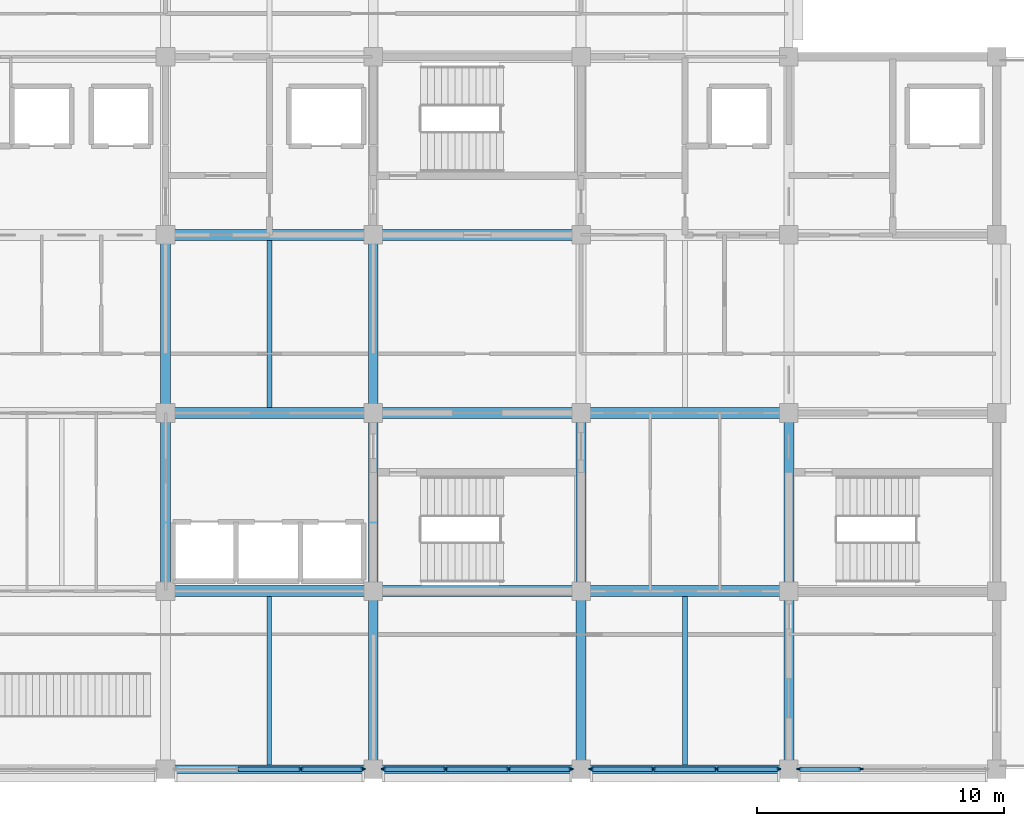
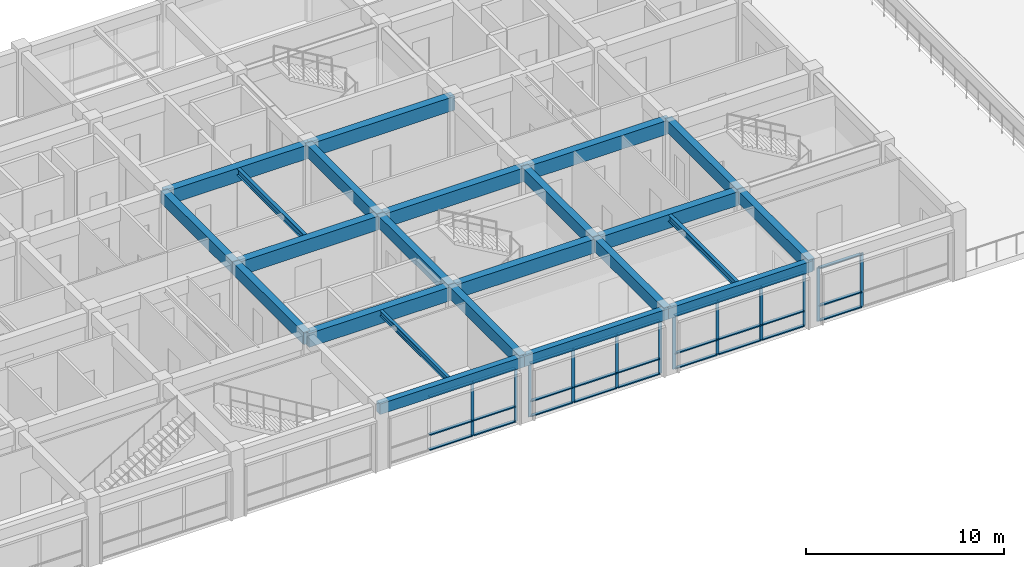
# One storey, part 6 of 27: 39 members, 23 beams, 4 elements without a shape of their own.
"""IFC4 building model written with IfcOpenShell, lengths in metres."""

from ifc_helpers import new_model, si_unit, direction, frame, origin, origin_2d, place, context, subcontext, project, spatial, rectangle, i_section, extrude, material, layer, layer_set, material_profile, profile_set, type_object, element, aggregate, save


model = new_model("IFC4")

# Units and contexts
model_context = context("Model", 3, precision=1e-05, world=origin(), true_north=direction((0.0, 1.0)))
body_context = subcontext(model_context, "Body", "Model", "MODEL_VIEW")
ifc_project = project(units=[si_unit("LENGTHUNIT", "METRE"), si_unit("AREAUNIT", "SQUARE_METRE"), si_unit("VOLUMEUNIT", "CUBIC_METRE"), si_unit("PLANEANGLEUNIT", "RADIAN"), si_unit("MASSUNIT", "GRAM", prefix="KILO")], contexts=[model_context])

# Site, building, storey
site_placement = place(None, origin())
site = spatial("IfcSite", under=ifc_project, at=site_placement, CompositionType="ELEMENT")
building_placement = place(site_placement, origin())
building = spatial("IfcBuilding", under=site, at=building_placement, Name="Chengyuan Square Courthouse", CompositionType="ELEMENT")
storey_placement = place(building_placement, frame((0.0, 0.0, 35.10009765625)))
storey = spatial("IfcBuildingStorey", under=building, at=storey_placement, Name="L08", CompositionType="ELEMENT", Elevation=35.10009765625)

# Beams
ifc_material_1 = material(Name="Concrete C40", Category="concrete")
ifc_material_profile_1 = material_profile(ifc_material_1, rectangle(XDim=0.449951171875, YDim=0.85009765625, at=origin_2d()), Name="RC-BM-450x850")
ifc_profile_set_1 = profile_set([ifc_material_profile_1], Name="Concrete C40")
beam_type_1 = type_object("IfcBeamType", Name="BM-01", PredefinedType="USERDEFINED", material=ifc_profile_set_1)
beam_1_placement = place(storey_placement, frame((92.39990234375, 86.39990234375, 3.52490234375), z_axis=(1.0, 0.0, 0.0), x_axis=(0.0, 1.0, 0.0)))
element("IfcBeam", 1, at=beam_1_placement, inside=storey, type_object=beam_type_1, Name="Girder BM-L08-3784", ObjectType="GIRDER", PredefinedType="USERDEFINED", context=body_context, shape_type="SweptSolid", body=[
    extrude(rectangle(XDim=0.449951171875, YDim=0.85009765625, at=origin_2d()), origin(), (0.0, 0.0, 1.0), 8.400146484375),
])
beam_2_placement = place(storey_placement, frame((100.800048828125, 86.39990234375, 3.52490234375), z_axis=(1.0, 0.0, 0.0), x_axis=(0.0, 1.0, 0.0)))
element("IfcBeam", 2, at=beam_2_placement, inside=storey, type_object=beam_type_1, Name="Girder BM-L08-3785", ObjectType="GIRDER", PredefinedType="USERDEFINED", context=body_context, shape_type="SweptSolid", body=[
    extrude(rectangle(XDim=0.449951171875, YDim=0.85009765625, at=origin_2d()), origin(), (0.0, 0.0, 1.0), 8.39990234375),
])
for number, where, z_axis, x_axis, name in (
    (3, (109.199951171875, 86.39990234375, 3.52490234375), (1.0, 0.0, 0.0), (0.0, 1.0, 0.0), "Girder BM-L08-3786"),
    (4, (92.39990234375, 93.60009765625, 3.52490234375), (1.0, 0.0, 0.0), (0.0, 1.0, 0.0), "Girder BM-L08-3794"),
):
    element("IfcBeam", number, at=place(storey_placement, frame(where, z_axis=z_axis, x_axis=x_axis)), inside=storey, type_object=beam_type_1, Name=name, ObjectType="GIRDER", PredefinedType="USERDEFINED", context=body_context, shape_type="SweptSolid", body=[
        extrude(rectangle(XDim=0.449951171875, YDim=0.85009765625, at=origin_2d()), origin(), (0.0, 0.0, 1.0), 8.400146484375),
    ])
beam_3_placement = place(storey_placement, frame((100.800048828125, 93.60009765625, 3.52490234375), z_axis=(1.0, 0.0, 0.0), x_axis=(0.0, 1.0, 0.0)))
element("IfcBeam", 5, at=beam_3_placement, inside=storey, type_object=beam_type_1, Name="Girder BM-L08-3795", ObjectType="GIRDER", PredefinedType="USERDEFINED", context=body_context, shape_type="SweptSolid", body=[
    extrude(rectangle(XDim=0.449951171875, YDim=0.85009765625, at=origin_2d()), origin(), (0.0, 0.0, 1.0), 8.39990234375),
])
for number, where, z_axis, x_axis, name in (
    (6, (109.199951171875, 93.60009765625, 3.52490234375), (1.0, 0.0, 0.0), (0.0, 1.0, 0.0), "Girder BM-L08-3796"),
    (7, (92.39990234375, 100.800048828125, 3.52490234375), (1.0, 0.0, 0.0), (0.0, 1.0, 0.0), "Girder BM-L08-3804"),
):
    element("IfcBeam", number, at=place(storey_placement, frame(where, z_axis=z_axis, x_axis=x_axis)), inside=storey, type_object=beam_type_1, Name=name, ObjectType="GIRDER", PredefinedType="USERDEFINED", context=body_context, shape_type="SweptSolid", body=[
        extrude(rectangle(XDim=0.449951171875, YDim=0.85009765625, at=origin_2d()), origin(), (0.0, 0.0, 1.0), 8.400146484375),
    ])
beam_4_placement = place(storey_placement, frame((100.800048828125, 100.800048828125, 3.52490234375), z_axis=(1.0, 0.0, 0.0), x_axis=(0.0, 1.0, 0.0)))
element("IfcBeam", 8, at=beam_4_placement, inside=storey, type_object=beam_type_1, Name="Girder BM-L08-3805", ObjectType="GIRDER", PredefinedType="USERDEFINED", context=body_context, shape_type="SweptSolid", body=[
    extrude(rectangle(XDim=0.449951171875, YDim=0.85009765625, at=origin_2d()), origin(), (0.0, 0.0, 1.0), 8.39990234375),
])
ifc_material_profile_2 = material_profile(ifc_material_1, rectangle(XDim=0.39990234375, YDim=0.75, at=origin_2d()), Name="RC-BM-400x750")
ifc_profile_set_2 = profile_set([ifc_material_profile_2], Name="Concrete C40")
beam_type_2 = type_object("IfcBeamType", Name="BM-02", PredefinedType="USERDEFINED", material=ifc_profile_set_2)
beam_5_placement = place(storey_placement, frame((92.39990234375, 86.39990234375, 3.574951171875), z_axis=(0.0, 1.0, 0.0), x_axis=(-1.0, 0.0, 0.0)))
element("IfcBeam", 9, at=beam_5_placement, inside=storey, type_object=beam_type_2, Name="Girder BM-L08-3856", ObjectType="GIRDER", PredefinedType="USERDEFINED", context=body_context, shape_type="SweptSolid", body=[
    extrude(rectangle(XDim=0.39990234375, YDim=0.75, at=origin_2d()), origin(), (0.0, 0.0, 1.0), 7.2001953125),
])
for number, where, z_axis, x_axis, name in (
    (10, (92.39990234375, 93.60009765625, 3.574951171875), (0.0, 1.0, 0.0), (-1.0, 0.0, 0.0), "Girder BM-L08-3857"),
    (11, (100.800048828125, 79.199951171875, 3.574951171875), (0.0, 1.0, 0.0), (-1.0, 0.0, 0.0), "Girder BM-L08-3860"),
):
    element("IfcBeam", number, at=place(storey_placement, frame(where, z_axis=z_axis, x_axis=x_axis)), inside=storey, type_object=beam_type_2, Name=name, ObjectType="GIRDER", PredefinedType="USERDEFINED", context=body_context, shape_type="SweptSolid", body=[
        extrude(rectangle(XDim=0.39990234375, YDim=0.75, at=origin_2d()), origin(), (0.0, 0.0, 1.0), 7.199951171875),
    ])
beam_6_placement = place(storey_placement, frame((100.800048828125, 86.39990234375, 3.574951171875), z_axis=(0.0, 1.0, 0.0), x_axis=(-1.0, 0.0, 0.0)))
element("IfcBeam", 12, at=beam_6_placement, inside=storey, type_object=beam_type_2, Name="Girder BM-L08-3861", ObjectType="GIRDER", PredefinedType="USERDEFINED", context=body_context, shape_type="SweptSolid", body=[
    extrude(rectangle(XDim=0.39990234375, YDim=0.75, at=origin_2d()), origin(), (0.0, 0.0, 1.0), 7.2001953125),
])
for number, where, z_axis, x_axis, name in (
    (13, (100.800048828125, 93.60009765625, 3.574951171875), (0.0, 1.0, 0.0), (-1.0, 0.0, 0.0), "Girder BM-L08-3862"),
    (14, (109.199951171875, 79.199951171875, 3.574951171875), (0.0, 1.0, 0.0), (-1.0, 0.0, 0.0), "Girder BM-L08-3865"),
):
    element("IfcBeam", number, at=place(storey_placement, frame(where, z_axis=z_axis, x_axis=x_axis)), inside=storey, type_object=beam_type_2, Name=name, ObjectType="GIRDER", PredefinedType="USERDEFINED", context=body_context, shape_type="SweptSolid", body=[
        extrude(rectangle(XDim=0.39990234375, YDim=0.75, at=origin_2d()), origin(), (0.0, 0.0, 1.0), 7.199951171875),
    ])
beam_7_placement = place(storey_placement, frame((109.199951171875, 86.39990234375, 3.574951171875), z_axis=(0.0, 1.0, 0.0), x_axis=(-1.0, 0.0, 0.0)))
element("IfcBeam", 15, at=beam_7_placement, inside=storey, type_object=beam_type_2, Name="Girder BM-L08-3866", ObjectType="GIRDER", PredefinedType="USERDEFINED", context=body_context, shape_type="SweptSolid", body=[
    extrude(rectangle(XDim=0.39990234375, YDim=0.75, at=origin_2d()), origin(), (0.0, 0.0, 1.0), 7.2001953125),
])
beam_8_placement = place(storey_placement, frame((117.60009765625, 79.199951171875, 3.574951171875), z_axis=(0.0, 1.0, 0.0), x_axis=(-1.0, 0.0, 0.0)))
element("IfcBeam", 16, at=beam_8_placement, inside=storey, type_object=beam_type_2, Name="Girder BM-L08-3870", ObjectType="GIRDER", PredefinedType="USERDEFINED", context=body_context, shape_type="SweptSolid", body=[
    extrude(rectangle(XDim=0.39990234375, YDim=0.75, at=origin_2d()), origin(), (0.0, 0.0, 1.0), 7.199951171875),
])
beam_9_placement = place(storey_placement, frame((117.60009765625, 86.39990234375, 3.574951171875), z_axis=(0.0, 1.0, 0.0), x_axis=(-1.0, 0.0, 0.0)))
element("IfcBeam", 17, at=beam_9_placement, inside=storey, type_object=beam_type_2, Name="Girder BM-L08-3871", ObjectType="GIRDER", PredefinedType="USERDEFINED", context=body_context, shape_type="SweptSolid", body=[
    extrude(rectangle(XDim=0.39990234375, YDim=0.75, at=origin_2d()), origin(), (0.0, 0.0, 1.0), 7.2001953125),
])
ifc_material_profile_3 = material_profile(ifc_material_1, rectangle(XDim=0.35009765625, YDim=0.64990234375, at=origin_2d()), Name="RC-BM-350x650")
ifc_profile_set_3 = profile_set([ifc_material_profile_3], Name="Concrete C40")
beam_type_3 = type_object("IfcBeamType", Name="BM-03", PredefinedType="SPANDREL", material=ifc_profile_set_3)
beam_10_placement = place(storey_placement, frame((92.39990234375, 79.199951171875, 3.625), z_axis=(1.0, 0.0, 0.0), x_axis=(0.0, 1.0, 0.0)))
element("IfcBeam", 18, at=beam_10_placement, inside=storey, type_object=beam_type_3, Name="Girder BM-L08-3774", PredefinedType="SPANDREL", context=body_context, shape_type="SweptSolid", body=[
    extrude(rectangle(XDim=0.35009765625, YDim=0.64990234375, at=origin_2d()), origin(), (0.0, 0.0, 1.0), 8.400146484375),
])
beam_11_placement = place(storey_placement, frame((100.800048828125, 79.199951171875, 3.625), z_axis=(1.0, 0.0, 0.0), x_axis=(0.0, 1.0, 0.0)))
element("IfcBeam", 19, at=beam_11_placement, inside=storey, type_object=beam_type_3, Name="Girder BM-L08-3775", PredefinedType="SPANDREL", context=body_context, shape_type="SweptSolid", body=[
    extrude(rectangle(XDim=0.35009765625, YDim=0.64990234375, at=origin_2d()), origin(), (0.0, 0.0, 1.0), 8.39990234375),
])
beam_12_placement = place(storey_placement, frame((109.199951171875, 79.199951171875, 3.625), z_axis=(1.0, 0.0, 0.0), x_axis=(0.0, 1.0, 0.0)))
element("IfcBeam", 20, at=beam_12_placement, inside=storey, type_object=beam_type_3, Name="Girder BM-L08-3776", PredefinedType="SPANDREL", context=body_context, shape_type="SweptSolid", body=[
    extrude(rectangle(XDim=0.35009765625, YDim=0.64990234375, at=origin_2d()), origin(), (0.0, 0.0, 1.0), 8.400146484375),
])
ifc_material_2 = material(Name="Steel Q355B", Category="steel")
ifc_material_profile_4 = material_profile(ifc_material_2, i_section(OverallWidth=0.199951171875, OverallDepth=0.39990234375, WebThickness=0.008056640625, FlangeThickness=0.012939453125, at=origin_2d()), Name="HN 400x200x8x13")
ifc_profile_set_4 = profile_set([ifc_material_profile_4], Name="Steel Q355B")
beam_type_4 = type_object("IfcBeamType", Name="BM-07", PredefinedType="BEAM", material=ifc_profile_set_4)
beam_13_placement = place(storey_placement, frame((96.60009765625, 93.824951171875, 3.75), z_axis=(0.0, 1.0, 0.0), x_axis=(-1.0, 0.0, 0.0)))
element("IfcBeam", 21, at=beam_13_placement, inside=storey, type_object=beam_type_4, Name="Secondary Floor Beam SBM-L08-3891", PredefinedType="BEAM", context=body_context, shape_type="SweptSolid", body=[
    extrude(i_section(OverallWidth=0.199951171875, OverallDepth=0.39990234375, WebThickness=0.008056640625, FlangeThickness=0.012939453125, at=origin_2d()), origin(), (0.0, 0.0, 1.0), 6.75),
])
beam_14_placement = place(storey_placement, frame((113.39990234375, 79.375, 3.75), z_axis=(0.0, 1.0, 0.0), x_axis=(-1.0, 0.0, 0.0)))
element("IfcBeam", 22, at=beam_14_placement, inside=storey, type_object=beam_type_4, Name="Secondary Floor Beam SBM-L08-3893", PredefinedType="BEAM", context=body_context, shape_type="SweptSolid", body=[
    extrude(i_section(OverallWidth=0.199951171875, OverallDepth=0.39990234375, WebThickness=0.008056640625, FlangeThickness=0.012939453125, at=origin_2d()), origin(), (0.0, 0.0, 1.0), 6.800048828125),
])
ifc_material_profile_5 = material_profile(ifc_material_2, i_section(OverallWidth=0.175048828125, OverallDepth=0.35009765625, WebThickness=0.007080078125, FlangeThickness=0.010986328125, at=origin_2d()), Name="HN 350x175x7x11")
ifc_profile_set_5 = profile_set([ifc_material_profile_5], Name="Steel Q355B")
beam_type_5 = type_object("IfcBeamType", Name="BM-08", PredefinedType="BEAM", material=ifc_profile_set_5)
beam_15_placement = place(storey_placement, frame((96.60009765625, 79.375, 3.77490234375), z_axis=(0.0, 1.0, 0.0), x_axis=(-1.0, 0.0, 0.0)))
element("IfcBeam", 23, at=beam_15_placement, inside=storey, type_object=beam_type_5, Name="Secondary Floor Beam SBM-L08-3890", PredefinedType="BEAM", context=body_context, shape_type="SweptSolid", body=[
    extrude(i_section(OverallWidth=0.175048828125, OverallDepth=0.35009765625, WebThickness=0.007080078125, FlangeThickness=0.010986328125, at=origin_2d()), origin(), (0.0, 0.0, 1.0), 6.800048828125),
])

# Curtain wall, members
ifc_material_3 = material(Name="Unitised Aluminium and Triple Low-E Glass", Category="aluminium")
ifc_layer = layer(ifc_material_3, 0.179931640625)
ifc_layer_set = layer_set([ifc_layer], Name="Unitised Aluminium and Triple Low-E Glass")
curtain_wall_type = type_object("IfcCurtainWallType", Name="CW-22", PredefinedType="USERDEFINED", material=ifc_layer_set)
curtain_wall_1_placement = place(storey_placement, origin())
curtain_wall_1 = element("IfcCurtainWall", 24, at=curtain_wall_1_placement, inside=storey, type_object=curtain_wall_type, Name="Unitised Curtain Wall CW-L08-228", ObjectType="UNITISED CURTAIN WALL", PredefinedType="USERDEFINED")
ifc_material_4 = material(Name="Aluminium 6063-T6 Frame", Category="aluminium")
ifc_material_profile_6 = material_profile(ifc_material_4, rectangle(XDim=0.06494140625, YDim=0.179931640625, at=origin_2d()), Name="CW-MUL-65x180")
ifc_profile_set_6 = profile_set([ifc_material_profile_6], Name="Aluminium 6063-T6 Frame")
member_type_1 = type_object("IfcMemberType", Name="CWM-02", PredefinedType="MULLION", material=ifc_profile_set_6)
member_1_placement = place(storey_placement, frame((97.875, 79.199951171875, 0.0), z_axis=(0.0, 0.0, 1.0), x_axis=(0.0, 1.0, 0.0)))
member_1 = element("IfcMember", 25, at=member_1_placement, type_object=member_type_1, Name="CW-22 mullion 3", PredefinedType="MULLION", context=body_context, shape_type="SweptSolid", body=[
    extrude(rectangle(XDim=0.06494140625, YDim=0.179931640625, at=origin_2d()), origin(), (0.0, 0.0, 1.0), 3.2998046875),
])
member_2_placement = place(storey_placement, frame((100.392578125, 79.199951171875, 0.0), z_axis=(0.0, 0.0, 1.0), x_axis=(0.0, 1.0, 0.0)))
member_2 = element("IfcMember", 26, at=member_2_placement, type_object=member_type_1, Name="CW-22 mullion 4", PredefinedType="MULLION", context=body_context, shape_type="SweptSolid", body=[
    extrude(rectangle(XDim=0.06494140625, YDim=0.179931640625, at=origin_2d()), origin(), (0.0, 0.0, 1.0), 3.2998046875),
])

curtain_wall_2_placement = place(storey_placement, origin())
curtain_wall_2 = element("IfcCurtainWall", 27, at=curtain_wall_2_placement, inside=storey, type_object=curtain_wall_type, Name="Unitised Curtain Wall CW-L08-230", ObjectType="UNITISED CURTAIN WALL", PredefinedType="USERDEFINED")
member_3_placement = place(storey_placement, frame((101.20751953125, 79.199951171875, 0.0), z_axis=(0.0, 0.0, 1.0), x_axis=(0.0, 1.0, 0.0)))
member_3 = element("IfcMember", 28, at=member_3_placement, type_object=member_type_1, Name="CW-22 mullion 1", PredefinedType="MULLION", context=body_context, shape_type="SweptSolid", body=[
    extrude(rectangle(XDim=0.06494140625, YDim=0.179931640625, at=origin_2d()), origin(), (0.0, 0.0, 1.0), 3.2998046875),
])
member_4_placement = place(storey_placement, frame((103.72509765625, 79.199951171875, 0.0), z_axis=(0.0, 0.0, 1.0), x_axis=(0.0, 1.0, 0.0)))
member_4 = element("IfcMember", 29, at=member_4_placement, type_object=member_type_1, Name="CW-22 mullion 2", PredefinedType="MULLION", context=body_context, shape_type="SweptSolid", body=[
    extrude(rectangle(XDim=0.06494140625, YDim=0.179931640625, at=origin_2d()), origin(), (0.0, 0.0, 1.0), 3.2998046875),
])
member_5_placement = place(storey_placement, frame((106.27490234375, 79.199951171875, 0.0), z_axis=(0.0, 0.0, 1.0), x_axis=(0.0, 1.0, 0.0)))
member_5 = element("IfcMember", 30, at=member_5_placement, type_object=member_type_1, Name="CW-22 mullion 3", PredefinedType="MULLION", context=body_context, shape_type="SweptSolid", body=[
    extrude(rectangle(XDim=0.06494140625, YDim=0.179931640625, at=origin_2d()), origin(), (0.0, 0.0, 1.0), 3.2998046875),
])
member_6_placement = place(storey_placement, frame((108.79248046875, 79.199951171875, 0.0), z_axis=(0.0, 0.0, 1.0), x_axis=(0.0, 1.0, 0.0)))
member_6 = element("IfcMember", 31, at=member_6_placement, type_object=member_type_1, Name="CW-22 mullion 4", PredefinedType="MULLION", context=body_context, shape_type="SweptSolid", body=[
    extrude(rectangle(XDim=0.06494140625, YDim=0.179931640625, at=origin_2d()), origin(), (0.0, 0.0, 1.0), 3.2998046875),
])

curtain_wall_3_placement = place(storey_placement, origin())
curtain_wall_3 = element("IfcCurtainWall", 32, at=curtain_wall_3_placement, inside=storey, type_object=curtain_wall_type, Name="Unitised Curtain Wall CW-L08-231", ObjectType="UNITISED CURTAIN WALL", PredefinedType="USERDEFINED")
member_7_placement = place(storey_placement, frame((109.607421875, 79.199951171875, 0.0), z_axis=(0.0, 0.0, 1.0), x_axis=(0.0, 1.0, 0.0)))
member_7 = element("IfcMember", 33, at=member_7_placement, type_object=member_type_1, Name="CW-22 mullion 1", PredefinedType="MULLION", context=body_context, shape_type="SweptSolid", body=[
    extrude(rectangle(XDim=0.06494140625, YDim=0.179931640625, at=origin_2d()), origin(), (0.0, 0.0, 1.0), 3.2998046875),
])
member_8_placement = place(storey_placement, frame((112.125, 79.199951171875, 0.0), z_axis=(0.0, 0.0, 1.0), x_axis=(0.0, 1.0, 0.0)))
member_8 = element("IfcMember", 34, at=member_8_placement, type_object=member_type_1, Name="CW-22 mullion 2", PredefinedType="MULLION", context=body_context, shape_type="SweptSolid", body=[
    extrude(rectangle(XDim=0.06494140625, YDim=0.179931640625, at=origin_2d()), origin(), (0.0, 0.0, 1.0), 3.2998046875),
])
member_9_placement = place(storey_placement, frame((114.675048828125, 79.199951171875, 0.0), z_axis=(0.0, 0.0, 1.0), x_axis=(0.0, 1.0, 0.0)))
member_9 = element("IfcMember", 35, at=member_9_placement, type_object=member_type_1, Name="CW-22 mullion 3", PredefinedType="MULLION", context=body_context, shape_type="SweptSolid", body=[
    extrude(rectangle(XDim=0.06494140625, YDim=0.179931640625, at=origin_2d()), origin(), (0.0, 0.0, 1.0), 3.2998046875),
])
member_10_placement = place(storey_placement, frame((117.1923828125, 79.199951171875, 0.0), z_axis=(0.0, 0.0, 1.0), x_axis=(0.0, 1.0, 0.0)))
member_10 = element("IfcMember", 36, at=member_10_placement, type_object=member_type_1, Name="CW-22 mullion 4", PredefinedType="MULLION", context=body_context, shape_type="SweptSolid", body=[
    extrude(rectangle(XDim=0.06494140625, YDim=0.179931640625, at=origin_2d()), origin(), (0.0, 0.0, 1.0), 3.2998046875),
])

curtain_wall_4_placement = place(storey_placement, origin())
curtain_wall_4 = element("IfcCurtainWall", 37, at=curtain_wall_4_placement, inside=storey, type_object=curtain_wall_type, Name="Unitised Curtain Wall CW-L08-233", ObjectType="UNITISED CURTAIN WALL", PredefinedType="USERDEFINED")
member_11_placement = place(storey_placement, frame((118.007568359375, 79.199951171875, 0.0), z_axis=(0.0, 0.0, 1.0), x_axis=(0.0, 1.0, 0.0)))
member_11 = element("IfcMember", 38, at=member_11_placement, type_object=member_type_1, Name="CW-22 mullion 1", PredefinedType="MULLION", context=body_context, shape_type="SweptSolid", body=[
    extrude(rectangle(XDim=0.06494140625, YDim=0.179931640625, at=origin_2d()), origin(), (0.0, 0.0, 1.0), 3.2998046875),
])
member_12_placement = place(storey_placement, frame((120.52490234375, 79.199951171875, 0.0), z_axis=(0.0, 0.0, 1.0), x_axis=(0.0, 1.0, 0.0)))
member_12 = element("IfcMember", 39, at=member_12_placement, type_object=member_type_1, Name="CW-22 mullion 2", PredefinedType="MULLION", context=body_context, shape_type="SweptSolid", body=[
    extrude(rectangle(XDim=0.06494140625, YDim=0.179931640625, at=origin_2d()), origin(), (0.0, 0.0, 1.0), 3.2998046875),
])

# Member
ifc_material_profile_7 = material_profile(ifc_material_4, rectangle(XDim=0.179931640625, YDim=0.06494140625, at=origin_2d()), Name="CW-TRN-65x140")
ifc_profile_set_7 = profile_set([ifc_material_profile_7], Name="Aluminium 6063-T6 Frame")
member_type_2 = type_object("IfcMemberType", Name="CWT-02", PredefinedType="USERDEFINED", material=ifc_profile_set_7)
member_13_placement = place(storey_placement, frame((95.357421875, 79.199951171875, 0.032470703125), z_axis=(1.0, 0.0, 0.0), x_axis=(0.0, 1.0, 0.0)))
member_13 = element("IfcMember", 40, at=member_13_placement, type_object=member_type_2, Name="CW-22 transom 2.1", ObjectType="TRANSOM", PredefinedType="USERDEFINED", context=body_context, shape_type="SweptSolid", body=[
    extrude(rectangle(XDim=0.179931640625, YDim=0.06494140625, at=origin_2d()), origin(), (0.0, 0.0, 1.0), 2.485107421875),
])

member_14_placement = place(storey_placement, frame((95.357421875, 79.199951171875, 0.949951171875), z_axis=(1.0, 0.0, 0.0), x_axis=(0.0, 1.0, 0.0)))
member_14 = element("IfcMember", 41, at=member_14_placement, type_object=member_type_2, Name="CW-22 transom 2.2", ObjectType="TRANSOM", PredefinedType="USERDEFINED", context=body_context, shape_type="SweptSolid", body=[
    extrude(rectangle(XDim=0.179931640625, YDim=0.06494140625, at=origin_2d()), origin(), (0.0, 0.0, 1.0), 2.485107421875),
])

member_15_placement = place(storey_placement, frame((95.357421875, 79.199951171875, 3.267333984375), z_axis=(1.0, 0.0, 0.0), x_axis=(0.0, 1.0, 0.0)))
member_15 = element("IfcMember", 42, at=member_15_placement, type_object=member_type_2, Name="CW-22 transom 2.3", ObjectType="TRANSOM", PredefinedType="USERDEFINED", context=body_context, shape_type="SweptSolid", body=[
    extrude(rectangle(XDim=0.179931640625, YDim=0.06494140625, at=origin_2d()), origin(), (0.0, 0.0, 1.0), 2.485107421875),
])

member_16_placement = place(storey_placement, frame((97.907470703125, 79.199951171875, 0.032470703125), z_axis=(1.0, 0.0, 0.0), x_axis=(0.0, 1.0, 0.0)))
member_16 = element("IfcMember", 43, at=member_16_placement, type_object=member_type_2, Name="CW-22 transom 3.1", ObjectType="TRANSOM", PredefinedType="USERDEFINED", context=body_context, shape_type="SweptSolid", body=[
    extrude(rectangle(XDim=0.179931640625, YDim=0.06494140625, at=origin_2d()), origin(), (0.0, 0.0, 1.0), 2.45263671875),
])

member_17_placement = place(storey_placement, frame((97.907470703125, 79.199951171875, 0.949951171875), z_axis=(1.0, 0.0, 0.0), x_axis=(0.0, 1.0, 0.0)))
member_17 = element("IfcMember", 44, at=member_17_placement, type_object=member_type_2, Name="CW-22 transom 3.2", ObjectType="TRANSOM", PredefinedType="USERDEFINED", context=body_context, shape_type="SweptSolid", body=[
    extrude(rectangle(XDim=0.179931640625, YDim=0.06494140625, at=origin_2d()), origin(), (0.0, 0.0, 1.0), 2.45263671875),
])

member_18_placement = place(storey_placement, frame((97.907470703125, 79.199951171875, 3.267333984375), z_axis=(1.0, 0.0, 0.0), x_axis=(0.0, 1.0, 0.0)))
member_18 = element("IfcMember", 45, at=member_18_placement, type_object=member_type_2, Name="CW-22 transom 3.3", ObjectType="TRANSOM", PredefinedType="USERDEFINED", context=body_context, shape_type="SweptSolid", body=[
    extrude(rectangle(XDim=0.179931640625, YDim=0.06494140625, at=origin_2d()), origin(), (0.0, 0.0, 1.0), 2.45263671875),
])

aggregate(curtain_wall_1, [member_1, member_2, member_13, member_14, member_15, member_16, member_17, member_18])

member_19_placement = place(storey_placement, frame((101.239990234375, 79.199951171875, 0.032470703125), z_axis=(1.0, 0.0, 0.0), x_axis=(0.0, 1.0, 0.0)))
member_19 = element("IfcMember", 46, at=member_19_placement, type_object=member_type_2, Name="CW-22 transom 1.1", ObjectType="TRANSOM", PredefinedType="USERDEFINED", context=body_context, shape_type="SweptSolid", body=[
    extrude(rectangle(XDim=0.179931640625, YDim=0.06494140625, at=origin_2d()), origin(), (0.0, 0.0, 1.0), 2.452392578125),
])

member_20_placement = place(storey_placement, frame((101.239990234375, 79.199951171875, 0.949951171875), z_axis=(1.0, 0.0, 0.0), x_axis=(0.0, 1.0, 0.0)))
member_20 = element("IfcMember", 47, at=member_20_placement, type_object=member_type_2, Name="CW-22 transom 1.2", ObjectType="TRANSOM", PredefinedType="USERDEFINED", context=body_context, shape_type="SweptSolid", body=[
    extrude(rectangle(XDim=0.179931640625, YDim=0.06494140625, at=origin_2d()), origin(), (0.0, 0.0, 1.0), 2.452392578125),
])

member_21_placement = place(storey_placement, frame((101.239990234375, 79.199951171875, 3.267333984375), z_axis=(1.0, 0.0, 0.0), x_axis=(0.0, 1.0, 0.0)))
member_21 = element("IfcMember", 48, at=member_21_placement, type_object=member_type_2, Name="CW-22 transom 1.3", ObjectType="TRANSOM", PredefinedType="USERDEFINED", context=body_context, shape_type="SweptSolid", body=[
    extrude(rectangle(XDim=0.179931640625, YDim=0.06494140625, at=origin_2d()), origin(), (0.0, 0.0, 1.0), 2.452392578125),
])

member_22_placement = place(storey_placement, frame((103.757568359375, 79.199951171875, 0.032470703125), z_axis=(1.0, 0.0, 0.0), x_axis=(0.0, 1.0, 0.0)))
member_22 = element("IfcMember", 49, at=member_22_placement, type_object=member_type_2, Name="CW-22 transom 2.1", ObjectType="TRANSOM", PredefinedType="USERDEFINED", context=body_context, shape_type="SweptSolid", body=[
    extrude(rectangle(XDim=0.179931640625, YDim=0.06494140625, at=origin_2d()), origin(), (0.0, 0.0, 1.0), 2.48486328125),
])

member_23_placement = place(storey_placement, frame((103.757568359375, 79.199951171875, 0.949951171875), z_axis=(1.0, 0.0, 0.0), x_axis=(0.0, 1.0, 0.0)))
member_23 = element("IfcMember", 50, at=member_23_placement, type_object=member_type_2, Name="CW-22 transom 2.2", ObjectType="TRANSOM", PredefinedType="USERDEFINED", context=body_context, shape_type="SweptSolid", body=[
    extrude(rectangle(XDim=0.179931640625, YDim=0.06494140625, at=origin_2d()), origin(), (0.0, 0.0, 1.0), 2.48486328125),
])

member_24_placement = place(storey_placement, frame((103.757568359375, 79.199951171875, 3.267333984375), z_axis=(1.0, 0.0, 0.0), x_axis=(0.0, 1.0, 0.0)))
member_24 = element("IfcMember", 51, at=member_24_placement, type_object=member_type_2, Name="CW-22 transom 2.3", ObjectType="TRANSOM", PredefinedType="USERDEFINED", context=body_context, shape_type="SweptSolid", body=[
    extrude(rectangle(XDim=0.179931640625, YDim=0.06494140625, at=origin_2d()), origin(), (0.0, 0.0, 1.0), 2.48486328125),
])

member_25_placement = place(storey_placement, frame((106.3076171875, 79.199951171875, 0.032470703125), z_axis=(1.0, 0.0, 0.0), x_axis=(0.0, 1.0, 0.0)))
member_25 = element("IfcMember", 52, at=member_25_placement, type_object=member_type_2, Name="CW-22 transom 3.1", ObjectType="TRANSOM", PredefinedType="USERDEFINED", context=body_context, shape_type="SweptSolid", body=[
    extrude(rectangle(XDim=0.179931640625, YDim=0.06494140625, at=origin_2d()), origin(), (0.0, 0.0, 1.0), 2.452392578125),
])

member_26_placement = place(storey_placement, frame((106.3076171875, 79.199951171875, 0.949951171875), z_axis=(1.0, 0.0, 0.0), x_axis=(0.0, 1.0, 0.0)))
member_26 = element("IfcMember", 53, at=member_26_placement, type_object=member_type_2, Name="CW-22 transom 3.2", ObjectType="TRANSOM", PredefinedType="USERDEFINED", context=body_context, shape_type="SweptSolid", body=[
    extrude(rectangle(XDim=0.179931640625, YDim=0.06494140625, at=origin_2d()), origin(), (0.0, 0.0, 1.0), 2.452392578125),
])

member_27_placement = place(storey_placement, frame((106.3076171875, 79.199951171875, 3.267333984375), z_axis=(1.0, 0.0, 0.0), x_axis=(0.0, 1.0, 0.0)))
member_27 = element("IfcMember", 54, at=member_27_placement, type_object=member_type_2, Name="CW-22 transom 3.3", ObjectType="TRANSOM", PredefinedType="USERDEFINED", context=body_context, shape_type="SweptSolid", body=[
    extrude(rectangle(XDim=0.179931640625, YDim=0.06494140625, at=origin_2d()), origin(), (0.0, 0.0, 1.0), 2.452392578125),
])

aggregate(curtain_wall_2, [member_3, member_4, member_5, member_6, member_19, member_20, member_21, member_22, member_23, member_24, member_25, member_26, member_27])

member_28_placement = place(storey_placement, frame((109.639892578125, 79.199951171875, 0.032470703125), z_axis=(1.0, 0.0, 0.0), x_axis=(0.0, 1.0, 0.0)))
member_28 = element("IfcMember", 55, at=member_28_placement, type_object=member_type_2, Name="CW-22 transom 1.1", ObjectType="TRANSOM", PredefinedType="USERDEFINED", context=body_context, shape_type="SweptSolid", body=[
    extrude(rectangle(XDim=0.179931640625, YDim=0.06494140625, at=origin_2d()), origin(), (0.0, 0.0, 1.0), 2.45263671875),
])

member_29_placement = place(storey_placement, frame((109.639892578125, 79.199951171875, 0.949951171875), z_axis=(1.0, 0.0, 0.0), x_axis=(0.0, 1.0, 0.0)))
member_29 = element("IfcMember", 56, at=member_29_placement, type_object=member_type_2, Name="CW-22 transom 1.2", ObjectType="TRANSOM", PredefinedType="USERDEFINED", context=body_context, shape_type="SweptSolid", body=[
    extrude(rectangle(XDim=0.179931640625, YDim=0.06494140625, at=origin_2d()), origin(), (0.0, 0.0, 1.0), 2.45263671875),
])

member_30_placement = place(storey_placement, frame((109.639892578125, 79.199951171875, 3.267333984375), z_axis=(1.0, 0.0, 0.0), x_axis=(0.0, 1.0, 0.0)))
member_30 = element("IfcMember", 57, at=member_30_placement, type_object=member_type_2, Name="CW-22 transom 1.3", ObjectType="TRANSOM", PredefinedType="USERDEFINED", context=body_context, shape_type="SweptSolid", body=[
    extrude(rectangle(XDim=0.179931640625, YDim=0.06494140625, at=origin_2d()), origin(), (0.0, 0.0, 1.0), 2.45263671875),
])

member_31_placement = place(storey_placement, frame((112.157470703125, 79.199951171875, 0.032470703125), z_axis=(1.0, 0.0, 0.0), x_axis=(0.0, 1.0, 0.0)))
member_31 = element("IfcMember", 58, at=member_31_placement, type_object=member_type_2, Name="CW-22 transom 2.1", ObjectType="TRANSOM", PredefinedType="USERDEFINED", context=body_context, shape_type="SweptSolid", body=[
    extrude(rectangle(XDim=0.179931640625, YDim=0.06494140625, at=origin_2d()), origin(), (0.0, 0.0, 1.0), 2.485107421875),
])

member_32_placement = place(storey_placement, frame((112.157470703125, 79.199951171875, 0.949951171875), z_axis=(1.0, 0.0, 0.0), x_axis=(0.0, 1.0, 0.0)))
member_32 = element("IfcMember", 59, at=member_32_placement, type_object=member_type_2, Name="CW-22 transom 2.2", ObjectType="TRANSOM", PredefinedType="USERDEFINED", context=body_context, shape_type="SweptSolid", body=[
    extrude(rectangle(XDim=0.179931640625, YDim=0.06494140625, at=origin_2d()), origin(), (0.0, 0.0, 1.0), 2.485107421875),
])

member_33_placement = place(storey_placement, frame((112.157470703125, 79.199951171875, 3.267333984375), z_axis=(1.0, 0.0, 0.0), x_axis=(0.0, 1.0, 0.0)))
member_33 = element("IfcMember", 60, at=member_33_placement, type_object=member_type_2, Name="CW-22 transom 2.3", ObjectType="TRANSOM", PredefinedType="USERDEFINED", context=body_context, shape_type="SweptSolid", body=[
    extrude(rectangle(XDim=0.179931640625, YDim=0.06494140625, at=origin_2d()), origin(), (0.0, 0.0, 1.0), 2.485107421875),
])

member_34_placement = place(storey_placement, frame((114.70751953125, 79.199951171875, 0.032470703125), z_axis=(1.0, 0.0, 0.0), x_axis=(0.0, 1.0, 0.0)))
member_34 = element("IfcMember", 61, at=member_34_placement, type_object=member_type_2, Name="CW-22 transom 3.1", ObjectType="TRANSOM", PredefinedType="USERDEFINED", context=body_context, shape_type="SweptSolid", body=[
    extrude(rectangle(XDim=0.179931640625, YDim=0.06494140625, at=origin_2d()), origin(), (0.0, 0.0, 1.0), 2.452392578125),
])

member_35_placement = place(storey_placement, frame((114.70751953125, 79.199951171875, 0.949951171875), z_axis=(1.0, 0.0, 0.0), x_axis=(0.0, 1.0, 0.0)))
member_35 = element("IfcMember", 62, at=member_35_placement, type_object=member_type_2, Name="CW-22 transom 3.2", ObjectType="TRANSOM", PredefinedType="USERDEFINED", context=body_context, shape_type="SweptSolid", body=[
    extrude(rectangle(XDim=0.179931640625, YDim=0.06494140625, at=origin_2d()), origin(), (0.0, 0.0, 1.0), 2.452392578125),
])

member_36_placement = place(storey_placement, frame((114.70751953125, 79.199951171875, 3.267333984375), z_axis=(1.0, 0.0, 0.0), x_axis=(0.0, 1.0, 0.0)))
member_36 = element("IfcMember", 63, at=member_36_placement, type_object=member_type_2, Name="CW-22 transom 3.3", ObjectType="TRANSOM", PredefinedType="USERDEFINED", context=body_context, shape_type="SweptSolid", body=[
    extrude(rectangle(XDim=0.179931640625, YDim=0.06494140625, at=origin_2d()), origin(), (0.0, 0.0, 1.0), 2.452392578125),
])

aggregate(curtain_wall_3, [member_7, member_8, member_9, member_10, member_28, member_29, member_30, member_31, member_32, member_33, member_34, member_35, member_36])

member_37_placement = place(storey_placement, frame((118.0400390625, 79.199951171875, 0.032470703125), z_axis=(1.0, 0.0, 0.0), x_axis=(0.0, 1.0, 0.0)))
member_37 = element("IfcMember", 64, at=member_37_placement, type_object=member_type_2, Name="CW-22 transom 1.1", ObjectType="TRANSOM", PredefinedType="USERDEFINED", context=body_context, shape_type="SweptSolid", body=[
    extrude(rectangle(XDim=0.179931640625, YDim=0.06494140625, at=origin_2d()), origin(), (0.0, 0.0, 1.0), 2.452392578125),
])

member_38_placement = place(storey_placement, frame((118.0400390625, 79.199951171875, 0.949951171875), z_axis=(1.0, 0.0, 0.0), x_axis=(0.0, 1.0, 0.0)))
member_38 = element("IfcMember", 65, at=member_38_placement, type_object=member_type_2, Name="CW-22 transom 1.2", ObjectType="TRANSOM", PredefinedType="USERDEFINED", context=body_context, shape_type="SweptSolid", body=[
    extrude(rectangle(XDim=0.179931640625, YDim=0.06494140625, at=origin_2d()), origin(), (0.0, 0.0, 1.0), 2.452392578125),
])

member_39_placement = place(storey_placement, frame((118.0400390625, 79.199951171875, 3.267333984375), z_axis=(1.0, 0.0, 0.0), x_axis=(0.0, 1.0, 0.0)))
member_39 = element("IfcMember", 66, at=member_39_placement, type_object=member_type_2, Name="CW-22 transom 1.3", ObjectType="TRANSOM", PredefinedType="USERDEFINED", context=body_context, shape_type="SweptSolid", body=[
    extrude(rectangle(XDim=0.179931640625, YDim=0.06494140625, at=origin_2d()), origin(), (0.0, 0.0, 1.0), 2.452392578125),
])

aggregate(curtain_wall_4, [member_11, member_12, member_37, member_38, member_39])

save(model, "model.ifc")
